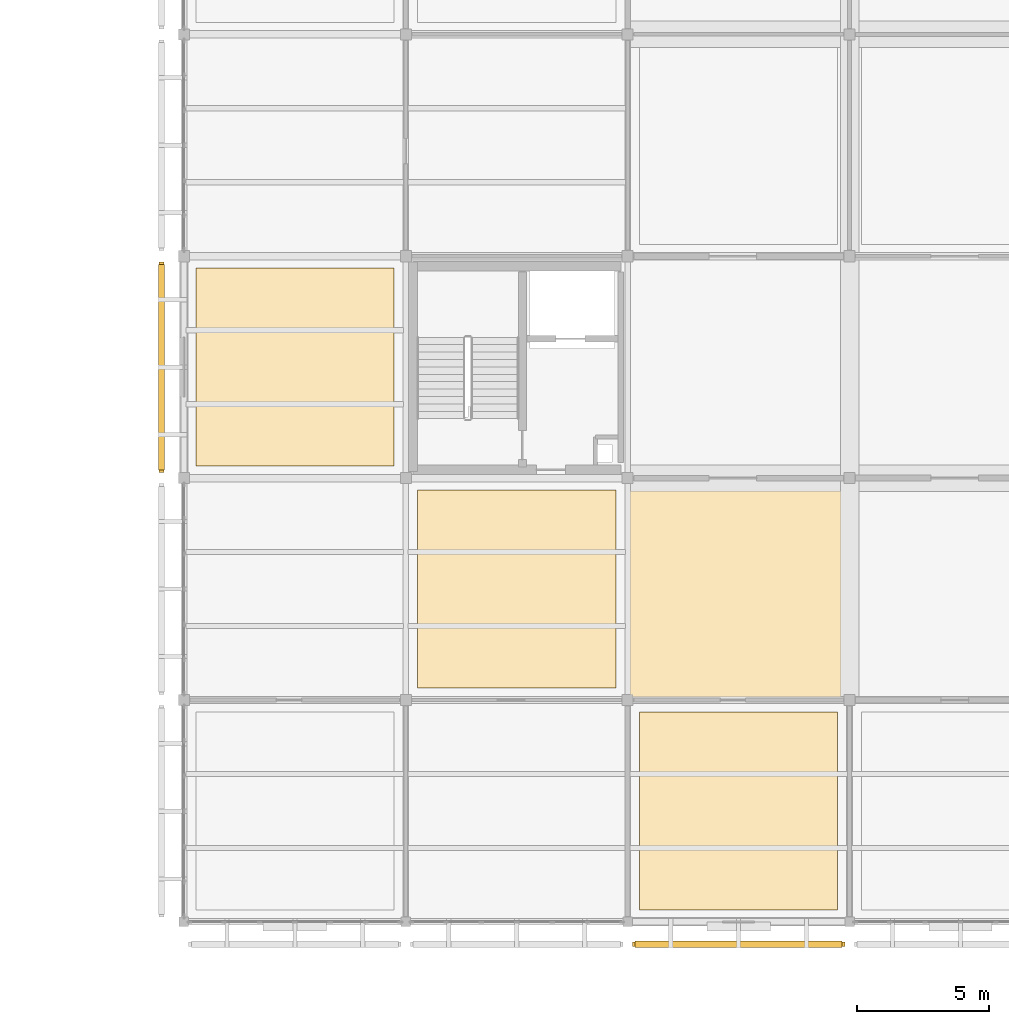
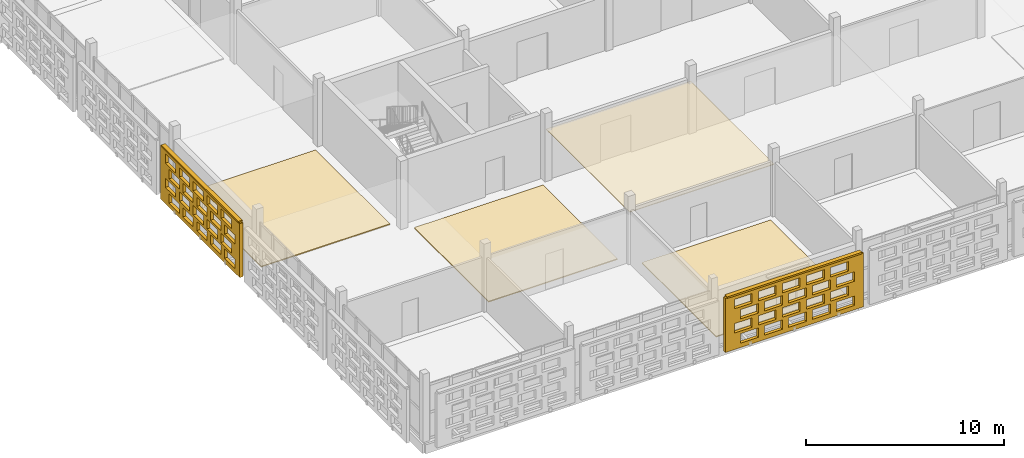
# One storey, part 114 of 166: 6 coverings, 2 shading devices, 40 openings.
"""IFC4 building model written with IfcOpenShell, lengths in metres."""

import ifcopenshell
import ifcopenshell.guid

model = None  # the IFC model being written
_history = None  # IfcOwnerHistory: only IFC2X3 demands one
_inside = {}  # id of a spatial element -> (the spatial element, [elements in it])
_under = {}  # id of a project, library or spatial element -> (it, [spatial elements below it])
_declared = {}  # id of a project -> (the project, [libraries it declares])
_typed = {}  # id of a type object -> (the type object, [elements of that type])
_made_of = {}  # id of a material, layer set ... -> (it, [elements and type objects made of it])


def new_model(schema):
    """Start an empty IFC model of exactly this schema.

    Asked for "IFC4X3", IfcOpenShell would pick the latest addendum, in which some entities
    have other attributes; the version numbers below select the first issue.
    IFC2X3 requires an IfcOwnerHistory on every rooted entity: one is made here for all.
    """
    global model, _history
    if schema == "IFC4X3":
        model = ifcopenshell.file(schema_version=(4, 3, 0, 0))
    else:
        model = ifcopenshell.file(schema=schema)
    _inside.clear()
    _under.clear()
    _declared.clear()
    _typed.clear()
    _made_of.clear()
    _history = None
    if model.schema == "IFC2X3":
        org = make("IfcOrganization", Name="unknown")
        user = make(
            "IfcPersonAndOrganization",
            ThePerson=make("IfcPerson", FamilyName="unknown"),
            TheOrganization=org,
        )
        app = make(
            "IfcApplication",
            ApplicationDeveloper=org,
            Version="unknown",
            ApplicationFullName="unknown",
            ApplicationIdentifier="unknown",
        )
        _history = make(
            "IfcOwnerHistory",
            OwningUser=user,
            OwningApplication=app,
            ChangeAction="ADDED",
            CreationDate=0,
        )
    return model


def make(cls, **values):
    """One entity of the class cls with the attributes given. An attribute that is None is left unset."""
    return model.create_entity(
        cls, **{name: value for name, value in values.items() if value is not None}
    )


def rooted(cls, **values):
    """An entity with a GlobalId (a new one), such as an element, a storey or a relation."""
    return make(cls, GlobalId=ifcopenshell.guid.new(), OwnerHistory=_history, **values)


def si_unit(unit_type, name, prefix=None):
    """IfcSIUnit, for example si_unit("LENGTHUNIT", "METRE", prefix="MILLI")."""
    return make("IfcSIUnit", UnitType=unit_type, Prefix=prefix, Name=name)


def assignment(units):
    """IfcUnitAssignment: the units of a project."""
    return None if units is None else make("IfcUnitAssignment", Units=units)


def point(xyz):
    """IfcCartesianPoint."""
    return None if xyz is None else make("IfcCartesianPoint", Coordinates=xyz)


def direction(xyz):
    """IfcDirection."""
    return None if xyz is None else make("IfcDirection", DirectionRatios=xyz)


def frame(location, z_axis=None, x_axis=None):
    """IfcAxis2Placement3D, a coordinate frame: its origin and axes. An axis left out is left unset."""
    return make(
        "IfcAxis2Placement3D",
        Location=point(location),
        Axis=direction(z_axis),
        RefDirection=direction(x_axis),
    )


def frame_2d(location, x_axis=None):
    """IfcAxis2Placement2D, a coordinate frame in the plane: its origin and x axis."""
    return make(
        "IfcAxis2Placement2D", Location=point(location), RefDirection=direction(x_axis)
    )


def origin():
    """The frame at (0, 0, 0) with its axes left unset."""
    return frame((0.0, 0.0, 0.0))


def origin_2d():
    """The frame at (0, 0) in the plane with its x axis left unset."""
    return frame_2d((0.0, 0.0))


def place(relative_to, where):
    """IfcLocalPlacement: puts the frame where relative to a parent placement (None: the world)."""
    return make(
        "IfcLocalPlacement", PlacementRelTo=relative_to, RelativePlacement=where
    )


def context(
    kind, dimensions, precision=None, world=None, true_north=None, identifier=None
):
    """IfcGeometricRepresentationContext, for example the 3D "Model" context."""
    return make(
        "IfcGeometricRepresentationContext",
        ContextIdentifier=identifier,
        ContextType=kind,
        CoordinateSpaceDimension=dimensions,
        Precision=precision,
        WorldCoordinateSystem=world,
        TrueNorth=true_north,
    )


def subcontext(parent, identifier, kind, view, scale=None):
    """IfcGeometricRepresentationSubContext, for example "Body" below "Model"."""
    return make(
        "IfcGeometricRepresentationSubContext",
        ContextIdentifier=identifier,
        ContextType=kind,
        ParentContext=parent,
        TargetScale=scale,
        TargetView=view,
    )


def project(units=None, contexts=None):
    """IfcProject with its units and contexts."""
    return rooted(
        "IfcProject",
        Name="project",
        RepresentationContexts=contexts,
        UnitsInContext=assignment(units),
    )


def spatial(cls, under=None, at=None, **own):
    """A site, building, storey or space (cls), placed at a placement, below another one or the project."""
    s = rooted(cls, ObjectPlacement=at, **own)
    if under is not None:
        _under.setdefault(under.id(), (under, []))[1].append(s)
    return s


def profile(cls, at=None, kind="AREA", **sizes):
    """A parametric profile (cls). Its sizes go by their IFC names, for example OverallWidth=200.0."""
    return make(cls, ProfileType=kind, Position=at, **sizes)


def rectangle(**sizes):
    """IfcRectangleProfileDef."""
    return profile("IfcRectangleProfileDef", **sizes)


def extrude(swept, where, along, depth):
    """IfcExtrudedAreaSolid: the profile swept, set in the frame where, extruded along a direction by depth."""
    return make(
        "IfcExtrudedAreaSolid",
        SweptArea=swept,
        Position=where,
        ExtrudedDirection=direction(along),
        Depth=depth,
    )


def shape(context_of_items, identifier, shape_type, items):
    """IfcShapeRepresentation: the items that make up one representation, for example the "Body"."""
    return make(
        "IfcShapeRepresentation",
        ContextOfItems=context_of_items,
        RepresentationIdentifier=identifier,
        RepresentationType=shape_type,
        Items=items,
    )


def material(Name=None, Category=None):
    """IfcMaterial."""
    return make("IfcMaterial", Name=Name, Category=Category)


def layer(
    of_material, thickness, ventilated=None, Name=None, Category=None, Priority=None
):
    """IfcMaterialLayer: one layer of a wall or slab, of a material (None: an air gap)."""
    return make(
        "IfcMaterialLayer",
        Material=of_material,
        LayerThickness=thickness,
        IsVentilated=ventilated,
        Name=Name,
        Category=Category,
        Priority=Priority,
    )


def layer_set(layers, Name=None):
    """IfcMaterialLayerSet."""
    return make("IfcMaterialLayerSet", MaterialLayers=layers, LayerSetName=Name)


def made_of(thing, what):
    """Note that an element or type object is made of a material, layer set ...; save() writes the relation."""
    if what is not None:
        _made_of.setdefault(what.id(), (what, []))[1].append(thing)
    return thing


def type_object(cls, material=None, **own):
    """A type object (cls), such as IfcWallType, which elements share."""
    return made_of(rooted(cls, **own), material)


def element(
    cls,
    number,
    at=None,
    inside=None,
    cuts=None,
    type_object=None,
    material=None,
    context=None,
    identifier="Body",
    shape_type=None,
    held_by="IfcProductDefinitionShape",
    body=None,
    shapes=None,
    **own,
):
    """One element of the class cls, such as IfcWall. Its Tag is "e" and its number.

    at: its placement. inside: the storey or other place that contains it. cuts: it is an
    opening in that element (IfcRelVoidsElement). A single representation is given by context,
    identifier, shape_type and body (its items); several are given by shapes. held_by: the class
    of the entity that holds the representations. save() writes the other relations.
    """
    e = rooted(cls, Tag="e%d" % number, ObjectPlacement=at, **own)
    if body is not None:
        shapes = [shape(context, identifier, shape_type, body)]
    if shapes is not None:
        e.Representation = make(held_by, Representations=shapes)
    if inside is not None:
        _inside.setdefault(inside.id(), (inside, []))[1].append(e)
    if cuts is not None:
        rooted(
            "IfcRelVoidsElement", RelatingBuildingElement=cuts, RelatedOpeningElement=e
        )
    if type_object is not None:
        _typed.setdefault(type_object.id(), (type_object, []))[1].append(e)
    return made_of(e, material)


def aggregate(whole, parts):
    """IfcRelAggregates: a whole, such as a stair, and the parts it consists of."""
    return rooted("IfcRelAggregates", RelatingObject=whole, RelatedObjects=parts)


def save(model, path):
    """Write the relations noted so far, then the file.

    IfcRelAggregates (storeys below a building ...), IfcRelContainedInSpatialStructure (elements
    in a storey), IfcRelDefinesByType, IfcRelAssociatesMaterial and IfcRelDeclares: one each for
    every whole, place, type object, material and project.
    """
    for whole, parts in _under.values():
        aggregate(whole, parts)
    for where, things in _inside.values():
        rooted(
            "IfcRelContainedInSpatialStructure",
            RelatedElements=things,
            RelatingStructure=where,
        )
    for kind, things in _typed.values():
        rooted("IfcRelDefinesByType", RelatedObjects=things, RelatingType=kind)
    for what, things in _made_of.values():
        rooted("IfcRelAssociatesMaterial", RelatedObjects=things, RelatingMaterial=what)
    for by, libraries in _declared.values():
        rooted("IfcRelDeclares", RelatingContext=by, RelatedDefinitions=libraries)
    model.write(path)


model = new_model("IFC4")

# Units and contexts
model_context = context("Model", 3, precision=1e-05, world=origin(), true_north=direction((0.0, 1.0)))
body_context = subcontext(model_context, "Body", "Model", "MODEL_VIEW")
ifc_project = project(units=[si_unit("LENGTHUNIT", "METRE"), si_unit("AREAUNIT", "SQUARE_METRE"), si_unit("VOLUMEUNIT", "CUBIC_METRE"), si_unit("PLANEANGLEUNIT", "RADIAN"), si_unit("MASSUNIT", "GRAM", prefix="KILO")], contexts=[model_context])

# Site, building, storey
site_placement = place(None, origin())
site = spatial("IfcSite", under=ifc_project, at=site_placement, CompositionType="ELEMENT")
building_placement = place(site_placement, origin())
building = spatial("IfcBuilding", under=site, at=building_placement, Name="Varnapada Polytechnic", CompositionType="ELEMENT")
storey_placement = place(building_placement, frame((0.0, 0.0, 9.60009765625)))
storey = spatial("IfcBuildingStorey", under=building, at=storey_placement, Name="L02", CompositionType="ELEMENT", Elevation=9.60009765625)

# Coverings
ifc_material_1 = material(Name="Anti-Static Raised Laboratory Flooring")
ifc_layer_1 = layer(ifc_material_1, 0.06005859375)
ifc_layer_set_1 = layer_set([ifc_layer_1], Name="Anti-Static Raised Laboratory Flooring")
covering_type_1 = type_object("IfcCoveringType", Name="Floor Finish FLR-02", PredefinedType="FLOORING", material=ifc_layer_set_1)
for number, where, z_axis, x_axis, name in (
    (1, (12.60009765625, 21.0, -0.000244140625), (0.0, 0.0, 1.0), (1.0, 0.0, 0.0), "L02 floor finish panel (2,3)"),
    (2, (21.0, 12.60009765625, -0.000244140625), (0.0, 0.0, 1.0), (1.0, 0.0, 0.0), "L02 floor finish panel (3,2)"),
    (3, (29.39990234375, 4.199951171875, -0.000244140625), (0.0, 0.0, 1.0), (1.0, 0.0, 0.0), "L02 floor finish panel (4,1)"),
):
    element("IfcCovering", number, at=place(storey_placement, frame(where, z_axis=z_axis, x_axis=x_axis)), inside=storey, type_object=covering_type_1, Name=name, PredefinedType="FLOORING", context=body_context, shape_type="SweptSolid", body=[
        extrude(rectangle(XDim=7.5, YDim=7.5, at=origin_2d()), origin(), (0.0, 0.0, 1.0), 0.06005859375),
    ])
ifc_material_2 = material(Name="Micro-Perforated Gypsum Acoustic Ceiling")
ifc_layer_2 = layer(ifc_material_2, 0.044921875)
ifc_layer_set_2 = layer_set([ifc_layer_2], Name="Micro-Perforated Gypsum Acoustic Ceiling")
covering_type_2 = type_object("IfcCoveringType", Name="Suspended Ceiling CLG-04", PredefinedType="CEILING", material=ifc_layer_set_2)
covering_1_placement = place(storey_placement, frame((29.39990234375, 12.60009765625, 3.02734375), z_axis=(0.0, 0.0, 1.0), x_axis=(1.0, 0.0, 0.0)))
element("IfcCovering", 4, at=covering_1_placement, inside=storey, type_object=covering_type_2, Name="L02 suspended acoustic ceiling (4,2)", PredefinedType="CEILING", context=body_context, shape_type="SweptSolid", body=[
    extrude(rectangle(XDim=8.419921875, YDim=8.419921875, at=origin_2d()), origin(), (0.0, 0.0, 1.0), 0.044921875),
])

# Covering, openings
ifc_material_3 = material(Name="Earth-toned architectural terracotta screen block", Category="masonry")
ifc_layer_3 = layer(ifc_material_3, 0.1201171875)
ifc_layer_set_3 = layer_set([ifc_layer_3], Name="Earth-toned architectural terracotta screen block")
covering_type_3 = type_object("IfcCoveringType", Name="Terracotta Screen Cladding CLD-01", PredefinedType="CLADDING", material=ifc_layer_set_3)
covering_2_placement = place(storey_placement, frame((7.550048828125, 17.010009765625, 0.0), z_axis=(0.0, 0.0, 1.0), x_axis=(0.0, 1.0, 0.0)))
covering_2 = element("IfcCovering", 5, at=covering_2_placement, inside=storey, type_object=covering_type_3, Name="L02 perforated terracotta block screen (16)", PredefinedType="CLADDING", context=body_context, shape_type="SweptSolid", body=[
    extrude(rectangle(XDim=7.97998046875, YDim=0.179931640625, at=frame_2d((3.989990234375, 0.0))), origin(), (0.0, 0.0, 1.0), 3.31982421875),
])
opening_1_placement = place(covering_2_placement, frame((0.489990234375, 0.0, 0.265625)))
element("IfcOpeningElement", 6, at=opening_1_placement, cuts=covering_2, Name="Screen perforation TBS-L02-015.1", PredefinedType="OPENING", context=body_context, shape_type="SweptSolid", body=[
    extrude(rectangle(XDim=1.0400390625, YDim=0.5810546875, at=frame_2d((0.52001953125, 0.29052734375))), frame((0.0, 0.099853515625, 0.0), z_axis=(0.0, -1.0, 0.0), x_axis=(1.0, 0.0, 0.0)), (0.0, 0.0, 1.0), 0.199951171875),
])
opening_2_placement = place(covering_2_placement, frame((1.889892578125, 0.0, 0.265625)))
element("IfcOpeningElement", 7, at=opening_2_placement, cuts=covering_2, Name="Screen perforation TBS-L02-015.2", PredefinedType="OPENING", context=body_context, shape_type="SweptSolid", body=[
    extrude(rectangle(XDim=1.0400390625, YDim=0.5810546875, at=frame_2d((0.52001953125, 0.29052734375))), frame((0.0, 0.099853515625, 0.0), z_axis=(0.0, -1.0, 0.0), x_axis=(1.0, 0.0, 0.0)), (0.0, 0.0, 1.0), 0.199951171875),
])
opening_3_placement = place(covering_2_placement, frame((3.2900390625, 0.0, 0.265625)))
element("IfcOpeningElement", 8, at=opening_3_placement, cuts=covering_2, Name="Screen perforation TBS-L02-015.3", PredefinedType="OPENING", context=body_context, shape_type="SweptSolid", body=[
    extrude(rectangle(XDim=1.0400390625, YDim=0.5810546875, at=frame_2d((0.52001953125, 0.29052734375))), frame((0.0, 0.099853515625, 0.0), z_axis=(0.0, -1.0, 0.0), x_axis=(1.0, 0.0, 0.0)), (0.0, 0.0, 1.0), 0.199951171875),
])
opening_4_placement = place(covering_2_placement, frame((4.68994140625, 0.0, 0.265625)))
element("IfcOpeningElement", 9, at=opening_4_placement, cuts=covering_2, Name="Screen perforation TBS-L02-015.4", PredefinedType="OPENING", context=body_context, shape_type="SweptSolid", body=[
    extrude(rectangle(XDim=1.0400390625, YDim=0.5810546875, at=frame_2d((0.52001953125, 0.29052734375))), frame((0.0, 0.099853515625, 0.0), z_axis=(0.0, -1.0, 0.0), x_axis=(1.0, 0.0, 0.0)), (0.0, 0.0, 1.0), 0.199951171875),
])
opening_5_placement = place(covering_2_placement, frame((6.090087890625, 0.0, 0.265625)))
element("IfcOpeningElement", 10, at=opening_5_placement, cuts=covering_2, Name="Screen perforation TBS-L02-015.5", PredefinedType="OPENING", context=body_context, shape_type="SweptSolid", body=[
    extrude(rectangle(XDim=1.0400390625, YDim=0.5810546875, at=frame_2d((0.52001953125, 0.29052734375))), frame((0.0, 0.099853515625, 0.0), z_axis=(0.0, -1.0, 0.0), x_axis=(1.0, 0.0, 0.0)), (0.0, 0.0, 1.0), 0.199951171875),
])
opening_6_placement = place(covering_2_placement, frame((0.85009765625, 0.0, 1.0126953125)))
element("IfcOpeningElement", 11, at=opening_6_placement, cuts=covering_2, Name="Screen perforation TBS-L02-015.6", PredefinedType="OPENING", context=body_context, shape_type="SweptSolid", body=[
    extrude(rectangle(XDim=1.0400390625, YDim=0.5810546875, at=frame_2d((0.52001953125, 0.29052734375))), frame((0.0, 0.099853515625, 0.0), z_axis=(0.0, -1.0, 0.0), x_axis=(1.0, 0.0, 0.0)), (0.0, 0.0, 1.0), 0.199951171875),
])
opening_7_placement = place(covering_2_placement, frame((2.25, 0.0, 1.0126953125)))
element("IfcOpeningElement", 12, at=opening_7_placement, cuts=covering_2, Name="Screen perforation TBS-L02-015.7", PredefinedType="OPENING", context=body_context, shape_type="SweptSolid", body=[
    extrude(rectangle(XDim=1.0400390625, YDim=0.5810546875, at=frame_2d((0.52001953125, 0.29052734375))), frame((0.0, 0.099853515625, 0.0), z_axis=(0.0, -1.0, 0.0), x_axis=(1.0, 0.0, 0.0)), (0.0, 0.0, 1.0), 0.199951171875),
])
opening_8_placement = place(covering_2_placement, frame((3.64990234375, 0.0, 1.0126953125)))
element("IfcOpeningElement", 13, at=opening_8_placement, cuts=covering_2, Name="Screen perforation TBS-L02-015.8", PredefinedType="OPENING", context=body_context, shape_type="SweptSolid", body=[
    extrude(rectangle(XDim=1.0400390625, YDim=0.5810546875, at=frame_2d((0.52001953125, 0.29052734375))), frame((0.0, 0.099853515625, 0.0), z_axis=(0.0, -1.0, 0.0), x_axis=(1.0, 0.0, 0.0)), (0.0, 0.0, 1.0), 0.199951171875),
])
opening_9_placement = place(covering_2_placement, frame((5.050048828125, 0.0, 1.0126953125)))
element("IfcOpeningElement", 14, at=opening_9_placement, cuts=covering_2, Name="Screen perforation TBS-L02-015.9", PredefinedType="OPENING", context=body_context, shape_type="SweptSolid", body=[
    extrude(rectangle(XDim=1.0400390625, YDim=0.5810546875, at=frame_2d((0.52001953125, 0.29052734375))), frame((0.0, 0.099853515625, 0.0), z_axis=(0.0, -1.0, 0.0), x_axis=(1.0, 0.0, 0.0)), (0.0, 0.0, 1.0), 0.199951171875),
])
opening_10_placement = place(covering_2_placement, frame((6.449951171875, 0.0, 1.0126953125)))
element("IfcOpeningElement", 15, at=opening_10_placement, cuts=covering_2, Name="Screen perforation TBS-L02-015.10", PredefinedType="OPENING", context=body_context, shape_type="SweptSolid", body=[
    extrude(rectangle(XDim=1.0400390625, YDim=0.5810546875, at=frame_2d((0.52001953125, 0.29052734375))), frame((0.0, 0.099853515625, 0.0), z_axis=(0.0, -1.0, 0.0), x_axis=(1.0, 0.0, 0.0)), (0.0, 0.0, 1.0), 0.199951171875),
])
opening_11_placement = place(covering_2_placement, frame((0.489990234375, 0.0, 1.759521484375)))
element("IfcOpeningElement", 16, at=opening_11_placement, cuts=covering_2, Name="Screen perforation TBS-L02-015.11", PredefinedType="OPENING", context=body_context, shape_type="SweptSolid", body=[
    extrude(rectangle(XDim=1.0400390625, YDim=0.5810546875, at=frame_2d((0.52001953125, 0.29052734375))), frame((0.0, 0.099853515625, 0.0), z_axis=(0.0, -1.0, 0.0), x_axis=(1.0, 0.0, 0.0)), (0.0, 0.0, 1.0), 0.199951171875),
])
opening_12_placement = place(covering_2_placement, frame((1.889892578125, 0.0, 1.759521484375)))
element("IfcOpeningElement", 17, at=opening_12_placement, cuts=covering_2, Name="Screen perforation TBS-L02-015.12", PredefinedType="OPENING", context=body_context, shape_type="SweptSolid", body=[
    extrude(rectangle(XDim=1.0400390625, YDim=0.5810546875, at=frame_2d((0.52001953125, 0.29052734375))), frame((0.0, 0.099853515625, 0.0), z_axis=(0.0, -1.0, 0.0), x_axis=(1.0, 0.0, 0.0)), (0.0, 0.0, 1.0), 0.199951171875),
])
opening_13_placement = place(covering_2_placement, frame((3.2900390625, 0.0, 1.759521484375)))
element("IfcOpeningElement", 18, at=opening_13_placement, cuts=covering_2, Name="Screen perforation TBS-L02-015.13", PredefinedType="OPENING", context=body_context, shape_type="SweptSolid", body=[
    extrude(rectangle(XDim=1.0400390625, YDim=0.5810546875, at=frame_2d((0.52001953125, 0.29052734375))), frame((0.0, 0.099853515625, 0.0), z_axis=(0.0, -1.0, 0.0), x_axis=(1.0, 0.0, 0.0)), (0.0, 0.0, 1.0), 0.199951171875),
])
opening_14_placement = place(covering_2_placement, frame((4.68994140625, 0.0, 1.759521484375)))
element("IfcOpeningElement", 19, at=opening_14_placement, cuts=covering_2, Name="Screen perforation TBS-L02-015.14", PredefinedType="OPENING", context=body_context, shape_type="SweptSolid", body=[
    extrude(rectangle(XDim=1.0400390625, YDim=0.5810546875, at=frame_2d((0.52001953125, 0.29052734375))), frame((0.0, 0.099853515625, 0.0), z_axis=(0.0, -1.0, 0.0), x_axis=(1.0, 0.0, 0.0)), (0.0, 0.0, 1.0), 0.199951171875),
])
opening_15_placement = place(covering_2_placement, frame((6.090087890625, 0.0, 1.759521484375)))
element("IfcOpeningElement", 20, at=opening_15_placement, cuts=covering_2, Name="Screen perforation TBS-L02-015.15", PredefinedType="OPENING", context=body_context, shape_type="SweptSolid", body=[
    extrude(rectangle(XDim=1.0400390625, YDim=0.5810546875, at=frame_2d((0.52001953125, 0.29052734375))), frame((0.0, 0.099853515625, 0.0), z_axis=(0.0, -1.0, 0.0), x_axis=(1.0, 0.0, 0.0)), (0.0, 0.0, 1.0), 0.199951171875),
])
opening_16_placement = place(covering_2_placement, frame((0.85009765625, 0.0, 2.506591796875)))
element("IfcOpeningElement", 21, at=opening_16_placement, cuts=covering_2, Name="Screen perforation TBS-L02-015.16", PredefinedType="OPENING", context=body_context, shape_type="SweptSolid", body=[
    extrude(rectangle(XDim=1.0400390625, YDim=0.5810546875, at=frame_2d((0.52001953125, 0.29052734375))), frame((0.0, 0.099853515625, 0.0), z_axis=(0.0, -1.0, 0.0), x_axis=(1.0, 0.0, 0.0)), (0.0, 0.0, 1.0), 0.199951171875),
])
opening_17_placement = place(covering_2_placement, frame((2.25, 0.0, 2.506591796875)))
element("IfcOpeningElement", 22, at=opening_17_placement, cuts=covering_2, Name="Screen perforation TBS-L02-015.17", PredefinedType="OPENING", context=body_context, shape_type="SweptSolid", body=[
    extrude(rectangle(XDim=1.0400390625, YDim=0.5810546875, at=frame_2d((0.52001953125, 0.29052734375))), frame((0.0, 0.099853515625, 0.0), z_axis=(0.0, -1.0, 0.0), x_axis=(1.0, 0.0, 0.0)), (0.0, 0.0, 1.0), 0.199951171875),
])
opening_18_placement = place(covering_2_placement, frame((3.64990234375, 0.0, 2.506591796875)))
element("IfcOpeningElement", 23, at=opening_18_placement, cuts=covering_2, Name="Screen perforation TBS-L02-015.18", PredefinedType="OPENING", context=body_context, shape_type="SweptSolid", body=[
    extrude(rectangle(XDim=1.0400390625, YDim=0.5810546875, at=frame_2d((0.52001953125, 0.29052734375))), frame((0.0, 0.099853515625, 0.0), z_axis=(0.0, -1.0, 0.0), x_axis=(1.0, 0.0, 0.0)), (0.0, 0.0, 1.0), 0.199951171875),
])
opening_19_placement = place(covering_2_placement, frame((5.050048828125, 0.0, 2.506591796875)))
element("IfcOpeningElement", 24, at=opening_19_placement, cuts=covering_2, Name="Screen perforation TBS-L02-015.19", PredefinedType="OPENING", context=body_context, shape_type="SweptSolid", body=[
    extrude(rectangle(XDim=1.0400390625, YDim=0.5810546875, at=frame_2d((0.52001953125, 0.29052734375))), frame((0.0, 0.099853515625, 0.0), z_axis=(0.0, -1.0, 0.0), x_axis=(1.0, 0.0, 0.0)), (0.0, 0.0, 1.0), 0.199951171875),
])
opening_20_placement = place(covering_2_placement, frame((6.449951171875, 0.0, 2.506591796875)))
element("IfcOpeningElement", 25, at=opening_20_placement, cuts=covering_2, Name="Screen perforation TBS-L02-015.20", PredefinedType="OPENING", context=body_context, shape_type="SweptSolid", body=[
    extrude(rectangle(XDim=1.0400390625, YDim=0.5810546875, at=frame_2d((0.52001953125, 0.29052734375))), frame((0.0, 0.099853515625, 0.0), z_axis=(0.0, -1.0, 0.0), x_axis=(1.0, 0.0, 0.0)), (0.0, 0.0, 1.0), 0.199951171875),
])

covering_3_placement = place(storey_placement, frame((33.419921875, -0.85009765625, 0.0), z_axis=(0.0, 0.0, 1.0), x_axis=(-1.0, 0.0, 0.0)))
covering_3 = element("IfcCovering", 26, at=covering_3_placement, inside=storey, type_object=covering_type_3, Name="L02 perforated terracotta block screen (22)", PredefinedType="CLADDING", context=body_context, shape_type="SweptSolid", body=[
    extrude(rectangle(XDim=8.0400390625, YDim=0.179931640625, at=frame_2d((4.02001953125, 0.0))), origin(), (0.0, 0.0, 1.0), 3.31982421875),
])
opening_21_placement = place(covering_3_placement, frame((0.52001953125, 0.0, 0.265625)))
element("IfcOpeningElement", 27, at=opening_21_placement, cuts=covering_3, Name="Screen perforation TBS-L02-021.1", PredefinedType="OPENING", context=body_context, shape_type="SweptSolid", body=[
    extrude(rectangle(XDim=1.0400390625, YDim=0.5810546875, at=frame_2d((0.52001953125, 0.29052734375))), frame((0.0, 0.099853515625, 0.0), z_axis=(0.0, -1.0, 0.0), x_axis=(1.0, 0.0, 0.0)), (0.0, 0.0, 1.0), 0.199951171875),
])
opening_22_placement = place(covering_3_placement, frame((1.919921875, 0.0, 0.265625)))
element("IfcOpeningElement", 28, at=opening_22_placement, cuts=covering_3, Name="Screen perforation TBS-L02-021.2", PredefinedType="OPENING", context=body_context, shape_type="SweptSolid", body=[
    extrude(rectangle(XDim=1.0400390625, YDim=0.5810546875, at=frame_2d((0.52001953125, 0.29052734375))), frame((0.0, 0.099853515625, 0.0), z_axis=(0.0, -1.0, 0.0), x_axis=(1.0, 0.0, 0.0)), (0.0, 0.0, 1.0), 0.199951171875),
])
opening_23_placement = place(covering_3_placement, frame((3.320068359375, 0.0, 0.265625)))
element("IfcOpeningElement", 29, at=opening_23_placement, cuts=covering_3, Name="Screen perforation TBS-L02-021.3", PredefinedType="OPENING", context=body_context, shape_type="SweptSolid", body=[
    extrude(rectangle(XDim=1.0400390625, YDim=0.5810546875, at=frame_2d((0.52001953125, 0.29052734375))), frame((0.0, 0.099853515625, 0.0), z_axis=(0.0, -1.0, 0.0), x_axis=(1.0, 0.0, 0.0)), (0.0, 0.0, 1.0), 0.199951171875),
])
opening_24_placement = place(covering_3_placement, frame((4.719970703125, 0.0, 0.265625)))
element("IfcOpeningElement", 30, at=opening_24_placement, cuts=covering_3, Name="Screen perforation TBS-L02-021.4", PredefinedType="OPENING", context=body_context, shape_type="SweptSolid", body=[
    extrude(rectangle(XDim=1.0400390625, YDim=0.5810546875, at=frame_2d((0.52001953125, 0.29052734375))), frame((0.0, 0.099853515625, 0.0), z_axis=(0.0, -1.0, 0.0), x_axis=(1.0, 0.0, 0.0)), (0.0, 0.0, 1.0), 0.199951171875),
])
opening_25_placement = place(covering_3_placement, frame((6.1201171875, 0.0, 0.265625)))
element("IfcOpeningElement", 31, at=opening_25_placement, cuts=covering_3, Name="Screen perforation TBS-L02-021.5", PredefinedType="OPENING", context=body_context, shape_type="SweptSolid", body=[
    extrude(rectangle(XDim=1.0400390625, YDim=0.5810546875, at=frame_2d((0.52001953125, 0.29052734375))), frame((0.0, 0.099853515625, 0.0), z_axis=(0.0, -1.0, 0.0), x_axis=(1.0, 0.0, 0.0)), (0.0, 0.0, 1.0), 0.199951171875),
])
opening_26_placement = place(covering_3_placement, frame((0.8798828125, 0.0, 1.0126953125)))
element("IfcOpeningElement", 32, at=opening_26_placement, cuts=covering_3, Name="Screen perforation TBS-L02-021.6", PredefinedType="OPENING", context=body_context, shape_type="SweptSolid", body=[
    extrude(rectangle(XDim=1.0400390625, YDim=0.5810546875, at=frame_2d((0.52001953125, 0.29052734375))), frame((0.0, 0.099853515625, 0.0), z_axis=(0.0, -1.0, 0.0), x_axis=(1.0, 0.0, 0.0)), (0.0, 0.0, 1.0), 0.199951171875),
])
opening_27_placement = place(covering_3_placement, frame((2.280029296875, 0.0, 1.0126953125)))
element("IfcOpeningElement", 33, at=opening_27_placement, cuts=covering_3, Name="Screen perforation TBS-L02-021.7", PredefinedType="OPENING", context=body_context, shape_type="SweptSolid", body=[
    extrude(rectangle(XDim=1.0400390625, YDim=0.5810546875, at=frame_2d((0.52001953125, 0.29052734375))), frame((0.0, 0.099853515625, 0.0), z_axis=(0.0, -1.0, 0.0), x_axis=(1.0, 0.0, 0.0)), (0.0, 0.0, 1.0), 0.199951171875),
])
opening_28_placement = place(covering_3_placement, frame((3.679931640625, 0.0, 1.0126953125)))
element("IfcOpeningElement", 34, at=opening_28_placement, cuts=covering_3, Name="Screen perforation TBS-L02-021.8", PredefinedType="OPENING", context=body_context, shape_type="SweptSolid", body=[
    extrude(rectangle(XDim=1.0400390625, YDim=0.5810546875, at=frame_2d((0.52001953125, 0.29052734375))), frame((0.0, 0.099853515625, 0.0), z_axis=(0.0, -1.0, 0.0), x_axis=(1.0, 0.0, 0.0)), (0.0, 0.0, 1.0), 0.199951171875),
])
opening_29_placement = place(covering_3_placement, frame((5.080078125, 0.0, 1.0126953125)))
element("IfcOpeningElement", 35, at=opening_29_placement, cuts=covering_3, Name="Screen perforation TBS-L02-021.9", PredefinedType="OPENING", context=body_context, shape_type="SweptSolid", body=[
    extrude(rectangle(XDim=1.0400390625, YDim=0.5810546875, at=frame_2d((0.52001953125, 0.29052734375))), frame((0.0, 0.099853515625, 0.0), z_axis=(0.0, -1.0, 0.0), x_axis=(1.0, 0.0, 0.0)), (0.0, 0.0, 1.0), 0.199951171875),
])
opening_30_placement = place(covering_3_placement, frame((6.47998046875, 0.0, 1.0126953125)))
element("IfcOpeningElement", 36, at=opening_30_placement, cuts=covering_3, Name="Screen perforation TBS-L02-021.10", PredefinedType="OPENING", context=body_context, shape_type="SweptSolid", body=[
    extrude(rectangle(XDim=1.0400390625, YDim=0.5810546875, at=frame_2d((0.52001953125, 0.29052734375))), frame((0.0, 0.099853515625, 0.0), z_axis=(0.0, -1.0, 0.0), x_axis=(1.0, 0.0, 0.0)), (0.0, 0.0, 1.0), 0.199951171875),
])
opening_31_placement = place(covering_3_placement, frame((0.52001953125, 0.0, 1.759521484375)))
element("IfcOpeningElement", 37, at=opening_31_placement, cuts=covering_3, Name="Screen perforation TBS-L02-021.11", PredefinedType="OPENING", context=body_context, shape_type="SweptSolid", body=[
    extrude(rectangle(XDim=1.0400390625, YDim=0.5810546875, at=frame_2d((0.52001953125, 0.29052734375))), frame((0.0, 0.099853515625, 0.0), z_axis=(0.0, -1.0, 0.0), x_axis=(1.0, 0.0, 0.0)), (0.0, 0.0, 1.0), 0.199951171875),
])
opening_32_placement = place(covering_3_placement, frame((1.919921875, 0.0, 1.759521484375)))
element("IfcOpeningElement", 38, at=opening_32_placement, cuts=covering_3, Name="Screen perforation TBS-L02-021.12", PredefinedType="OPENING", context=body_context, shape_type="SweptSolid", body=[
    extrude(rectangle(XDim=1.0400390625, YDim=0.5810546875, at=frame_2d((0.52001953125, 0.29052734375))), frame((0.0, 0.099853515625, 0.0), z_axis=(0.0, -1.0, 0.0), x_axis=(1.0, 0.0, 0.0)), (0.0, 0.0, 1.0), 0.199951171875),
])
opening_33_placement = place(covering_3_placement, frame((3.320068359375, 0.0, 1.759521484375)))
element("IfcOpeningElement", 39, at=opening_33_placement, cuts=covering_3, Name="Screen perforation TBS-L02-021.13", PredefinedType="OPENING", context=body_context, shape_type="SweptSolid", body=[
    extrude(rectangle(XDim=1.0400390625, YDim=0.5810546875, at=frame_2d((0.52001953125, 0.29052734375))), frame((0.0, 0.099853515625, 0.0), z_axis=(0.0, -1.0, 0.0), x_axis=(1.0, 0.0, 0.0)), (0.0, 0.0, 1.0), 0.199951171875),
])
opening_34_placement = place(covering_3_placement, frame((4.719970703125, 0.0, 1.759521484375)))
element("IfcOpeningElement", 40, at=opening_34_placement, cuts=covering_3, Name="Screen perforation TBS-L02-021.14", PredefinedType="OPENING", context=body_context, shape_type="SweptSolid", body=[
    extrude(rectangle(XDim=1.0400390625, YDim=0.5810546875, at=frame_2d((0.52001953125, 0.29052734375))), frame((0.0, 0.099853515625, 0.0), z_axis=(0.0, -1.0, 0.0), x_axis=(1.0, 0.0, 0.0)), (0.0, 0.0, 1.0), 0.199951171875),
])
opening_35_placement = place(covering_3_placement, frame((6.1201171875, 0.0, 1.759521484375)))
element("IfcOpeningElement", 41, at=opening_35_placement, cuts=covering_3, Name="Screen perforation TBS-L02-021.15", PredefinedType="OPENING", context=body_context, shape_type="SweptSolid", body=[
    extrude(rectangle(XDim=1.0400390625, YDim=0.5810546875, at=frame_2d((0.52001953125, 0.29052734375))), frame((0.0, 0.099853515625, 0.0), z_axis=(0.0, -1.0, 0.0), x_axis=(1.0, 0.0, 0.0)), (0.0, 0.0, 1.0), 0.199951171875),
])
opening_36_placement = place(covering_3_placement, frame((0.8798828125, 0.0, 2.506591796875)))
element("IfcOpeningElement", 42, at=opening_36_placement, cuts=covering_3, Name="Screen perforation TBS-L02-021.16", PredefinedType="OPENING", context=body_context, shape_type="SweptSolid", body=[
    extrude(rectangle(XDim=1.0400390625, YDim=0.5810546875, at=frame_2d((0.52001953125, 0.29052734375))), frame((0.0, 0.099853515625, 0.0), z_axis=(0.0, -1.0, 0.0), x_axis=(1.0, 0.0, 0.0)), (0.0, 0.0, 1.0), 0.199951171875),
])
opening_37_placement = place(covering_3_placement, frame((2.280029296875, 0.0, 2.506591796875)))
element("IfcOpeningElement", 43, at=opening_37_placement, cuts=covering_3, Name="Screen perforation TBS-L02-021.17", PredefinedType="OPENING", context=body_context, shape_type="SweptSolid", body=[
    extrude(rectangle(XDim=1.0400390625, YDim=0.5810546875, at=frame_2d((0.52001953125, 0.29052734375))), frame((0.0, 0.099853515625, 0.0), z_axis=(0.0, -1.0, 0.0), x_axis=(1.0, 0.0, 0.0)), (0.0, 0.0, 1.0), 0.199951171875),
])
opening_38_placement = place(covering_3_placement, frame((3.679931640625, 0.0, 2.506591796875)))
element("IfcOpeningElement", 44, at=opening_38_placement, cuts=covering_3, Name="Screen perforation TBS-L02-021.18", PredefinedType="OPENING", context=body_context, shape_type="SweptSolid", body=[
    extrude(rectangle(XDim=1.0400390625, YDim=0.5810546875, at=frame_2d((0.52001953125, 0.29052734375))), frame((0.0, 0.099853515625, 0.0), z_axis=(0.0, -1.0, 0.0), x_axis=(1.0, 0.0, 0.0)), (0.0, 0.0, 1.0), 0.199951171875),
])
opening_39_placement = place(covering_3_placement, frame((5.080078125, 0.0, 2.506591796875)))
element("IfcOpeningElement", 45, at=opening_39_placement, cuts=covering_3, Name="Screen perforation TBS-L02-021.19", PredefinedType="OPENING", context=body_context, shape_type="SweptSolid", body=[
    extrude(rectangle(XDim=1.0400390625, YDim=0.5810546875, at=frame_2d((0.52001953125, 0.29052734375))), frame((0.0, 0.099853515625, 0.0), z_axis=(0.0, -1.0, 0.0), x_axis=(1.0, 0.0, 0.0)), (0.0, 0.0, 1.0), 0.199951171875),
])
opening_40_placement = place(covering_3_placement, frame((6.47998046875, 0.0, 2.506591796875)))
element("IfcOpeningElement", 46, at=opening_40_placement, cuts=covering_3, Name="Screen perforation TBS-L02-021.20", PredefinedType="OPENING", context=body_context, shape_type="SweptSolid", body=[
    extrude(rectangle(XDim=1.0400390625, YDim=0.5810546875, at=frame_2d((0.52001953125, 0.29052734375))), frame((0.0, 0.099853515625, 0.0), z_axis=(0.0, -1.0, 0.0), x_axis=(1.0, 0.0, 0.0)), (0.0, 0.0, 1.0), 0.199951171875),
])

# Shading devices
ifc_layer_4 = layer(ifc_material_3, 0.179931640625)
ifc_layer_set_4 = layer_set([ifc_layer_4], Name="Earth-toned architectural terracotta screen block")
shading_device_type = type_object("IfcShadingDeviceType", Name="Terracotta Screen SCR-01", PredefinedType="USERDEFINED", material=ifc_layer_set_4)
shading_device_1_placement = place(storey_placement, frame((7.550048828125, 21.0, 3.309814453125), z_axis=(0.0, 0.0, 1.0), x_axis=(0.0, 1.0, 0.0)))
element("IfcShadingDevice", 47, at=shading_device_1_placement, inside=storey, type_object=shading_device_type, Name="L02 perforated terracotta screen hood 245", ObjectType="SCREEN", PredefinedType="USERDEFINED", context=body_context, shape_type="SweptSolid", body=[
    extrude(rectangle(XDim=7.780029296875, YDim=0.239990234375, at=origin_2d()), origin(), (0.0, 0.0, 1.0), 0.10009765625),
])
shading_device_2_placement = place(storey_placement, frame((29.39990234375, -0.85009765625, 3.309814453125), z_axis=(0.0, 0.0, 1.0), x_axis=(-1.0, 0.0, 0.0)))
element("IfcShadingDevice", 48, at=shading_device_2_placement, inside=storey, type_object=shading_device_type, Name="L02 perforated terracotta screen hood 251", ObjectType="SCREEN", PredefinedType="USERDEFINED", context=body_context, shape_type="SweptSolid", body=[
    extrude(rectangle(XDim=7.840087890625, YDim=0.239990234375, at=origin_2d()), origin(), (0.0, 0.0, 1.0), 0.10009765625),
])

save(model, "model.ifc")
